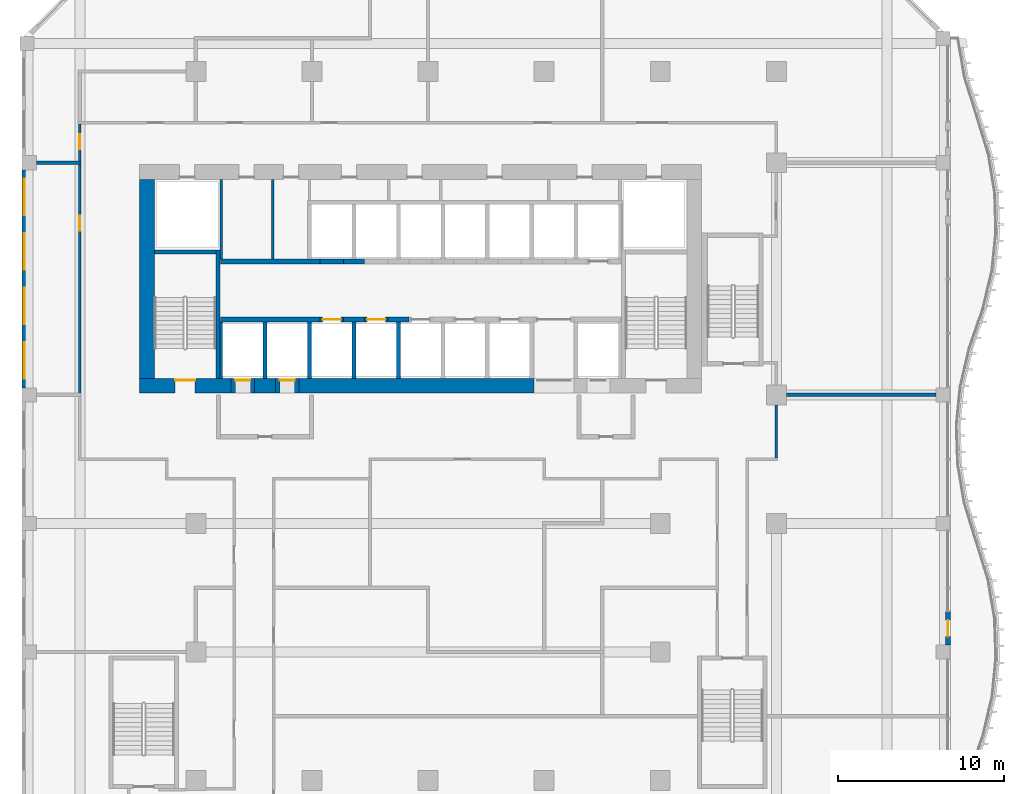
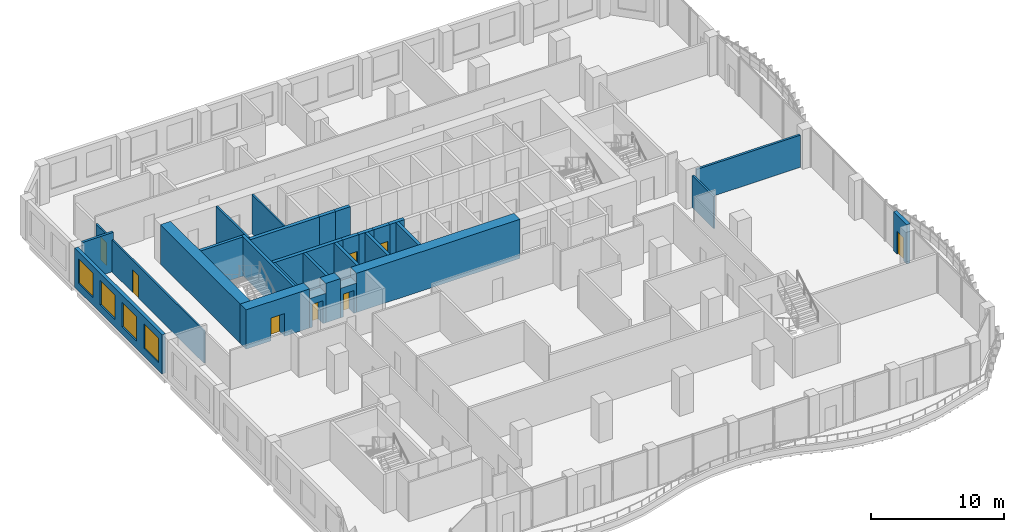
# One storey, part 12 of 19: 30 walls, 8 doors, 4 windows, 12 openings.
"""IFC4 building model written with IfcOpenShell, lengths in metres."""

from ifc_helpers import new_model, si_unit, direction, frame, frame_2d, origin, place, context, subcontext, project, spatial, rectangle, extrude, source, transform, mapped, material, layer, layer_set, type_object, element, fill, save


model = new_model("IFC4")

# Units and contexts
model_context = context("Model", 3, precision=1e-05, world=origin(), true_north=direction((0.0, 1.0)))
body_context = subcontext(model_context, "Body", "Model", "MODEL_VIEW")
ifc_project = project(units=[si_unit("LENGTHUNIT", "METRE"), si_unit("AREAUNIT", "SQUARE_METRE"), si_unit("VOLUMEUNIT", "CUBIC_METRE"), si_unit("PLANEANGLEUNIT", "RADIAN"), si_unit("MASSUNIT", "GRAM", prefix="KILO")], contexts=[model_context])

# Site, building, storey
site_placement = place(None, origin())
site = spatial("IfcSite", under=ifc_project, at=site_placement, CompositionType="ELEMENT")
building_placement = place(site_placement, origin())
building = spatial("IfcBuilding", under=site, at=building_placement, Name="Kilnfold Tower and Market Hall", CompositionType="ELEMENT")
storey_placement = place(building_placement, frame((0.0, 0.0, 124.60009765625)))
storey = spatial("IfcBuildingStorey", under=building, at=storey_placement, Name="L29", CompositionType="ELEMENT", Elevation=124.60009765625)

# Wall
ifc_material_1 = material(Name="Gypsum board on steel studs", Category="steel")
ifc_layer_1 = layer(ifc_material_1, 0.14990234375)
ifc_layer_set_1 = layer_set([ifc_layer_1], Name="Gypsum board on steel studs")
wall_type_1 = type_object("IfcWallType", Name="WALL CORRIDOR 150", PredefinedType="PARTITIONING", material=ifc_layer_set_1)
wall_1_placement = place(storey_placement, frame((22.5, 4.199951171875, 0.0), z_axis=(0.0, 0.0, 1.0), x_axis=(0.0, 1.0, 0.0)))
element("IfcWall", 1, at=wall_1_placement, inside=storey, type_object=wall_type_1, Name="Partition LY18.22", PredefinedType="PARTITIONING", context=body_context, shape_type="SweptSolid", body=[
    extrude(rectangle(XDim=3.199951171875, YDim=0.14990234375, at=frame_2d((1.60009765625, 0.0))), origin(), (0.0, 0.0, 1.0), 2.949951171875),
])

# Wall, opening, door
wall_2_placement = place(storey_placement, frame((-19.5, 22.090087890625, 0.0), z_axis=(0.0, 0.0, 1.0), x_axis=(0.0, 1.0, 0.0)))
wall_2 = element("IfcWall", 2, at=wall_2_placement, inside=storey, type_object=wall_type_1, Name="Partition LY18.34", PredefinedType="PARTITIONING", context=body_context, shape_type="SweptSolid", body=[
    extrude(rectangle(XDim=2.23486328125, YDim=0.14990234375, at=frame_2d((1.117431640625, 0.0))), origin(), (0.0, 0.0, 1.0), 2.949951171875),
])
opening_1_placement = place(wall_2_placement, frame((0.718994140625, 0.0, 0.0)))
opening_1 = element("IfcOpeningElement", 3, at=opening_1_placement, cuts=wall_2, Name="Opening D2", PredefinedType="OPENING", context=body_context, shape_type="SweptSolid", body=[
    extrude(rectangle(XDim=0.89990234375, YDim=2.10009765625, at=frame_2d((0.449951171875, 1.050048828125))), frame((0.0, 0.0849609375, 0.0), z_axis=(0.0, -1.0, 0.0), x_axis=(1.0, 0.0, 0.0)), (0.0, 0.0, 1.0), 0.169921875),
])
ifc_material_2 = material(Name="Timber veneer door leaf in steel frame", Category="steel")
door_type_1 = type_object("IfcDoorType", Name="DOOR ROOM 900 X2100", OperationType="NOTDEFINED", PredefinedType="DOOR", material=ifc_material_2)
door_1_placement = place(opening_1_placement, origin())
door_1 = element("IfcDoor", 4, at=door_1_placement, inside=storey, type_object=door_type_1, Name="Door D2", OperationType="SINGLE_SWING_LEFT", OverallHeight=2.10009765625, OverallWidth=0.89990234375, PredefinedType="DOOR", context=body_context, shape_type="SweptSolid", body=[
    extrude(rectangle(XDim=0.89990234375, YDim=2.10009765625, at=frame_2d((0.449951171875, 1.050048828125))), frame((0.0, 0.02490234375, 0.0), z_axis=(0.0, -1.0, 0.0), x_axis=(1.0, 0.0, 0.0)), (0.0, 0.0, 1.0), 0.050048828125),
])
fill(opening_1, door_1)

wall_3_placement = place(storey_placement, frame((-19.5, 8.090087890625, 0.0), z_axis=(0.0, 0.0, 1.0), x_axis=(0.0, 1.0, 0.0)))
wall_3 = element("IfcWall", 5, at=wall_3_placement, inside=storey, type_object=wall_type_1, Name="Partition LY18.35", PredefinedType="PARTITIONING", context=body_context, shape_type="SweptSolid", body=[
    extrude(rectangle(XDim=13.81982421875, YDim=0.14990234375, at=frame_2d((6.909912109375, 0.0))), origin(), (0.0, 0.0, 1.0), 2.949951171875),
])
opening_2_placement = place(wall_3_placement, frame((9.81494140625, 0.0, 0.0)))
opening_2 = element("IfcOpeningElement", 6, at=opening_2_placement, cuts=wall_3, Name="Opening D3", PredefinedType="OPENING", context=body_context, shape_type="SweptSolid", body=[
    extrude(rectangle(XDim=0.89990234375, YDim=2.10009765625, at=frame_2d((0.449951171875, 1.050048828125))), frame((0.0, 0.0849609375, 0.0), z_axis=(0.0, -1.0, 0.0), x_axis=(1.0, 0.0, 0.0)), (0.0, 0.0, 1.0), 0.169921875),
])
ifc_material_3 = material(Name="Timber veneer door leaf in steel frame", Category="steel")
door_type_2 = type_object("IfcDoorType", Name="DOOR WC 900 X2100", OperationType="NOTDEFINED", PredefinedType="DOOR", material=ifc_material_3)
door_2_placement = place(opening_2_placement, origin())
door_2 = element("IfcDoor", 7, at=door_2_placement, inside=storey, type_object=door_type_2, Name="Door D3", OperationType="SINGLE_SWING_RIGHT", OverallHeight=2.10009765625, OverallWidth=0.89990234375, PredefinedType="DOOR", context=body_context, shape_type="SweptSolid", body=[
    extrude(rectangle(XDim=0.89990234375, YDim=2.10009765625, at=frame_2d((0.449951171875, 1.050048828125))), frame((0.0, 0.02490234375, 0.0), z_axis=(0.0, -1.0, 0.0), x_axis=(1.0, 0.0, 0.0)), (0.0, 0.0, 1.0), 0.050048828125),
])
fill(opening_2, door_2)

# Walls
ifc_material_4 = material(Name="Gypsum board on steel studs", Category="steel")
ifc_layer_2 = layer(ifc_material_4, 0.199951171875)
ifc_layer_set_2 = layer_set([ifc_layer_2], Name="Gypsum board on steel studs")
wall_type_2 = type_object("IfcWallType", Name="WALL PARTY 200", PredefinedType="PARTITIONING", material=ifc_layer_set_2)
wall_4_placement = place(storey_placement, frame((23.10009765625, 8.0, 0.0), z_axis=(0.0, 0.0, 1.0), x_axis=(1.0, 0.0, 0.0)))
element("IfcWall", 8, at=wall_4_placement, inside=storey, type_object=wall_type_2, Name="Partition LY18.53", PredefinedType="PARTITIONING", context=body_context, shape_type="SweptSolid", body=[
    extrude(rectangle(XDim=9.02490234375, YDim=0.199951171875, at=frame_2d((4.512451171875, 0.0))), origin(), (0.0, 0.0, 1.0), 2.949951171875),
])
wall_5_placement = place(storey_placement, frame((-22.125, 22.0, 0.0), z_axis=(0.0, 0.0, 1.0), x_axis=(1.0, 0.0, 0.0)))
element("IfcWall", 9, at=wall_5_placement, inside=storey, type_object=wall_type_2, Name="Partition LY18.66", PredefinedType="PARTITIONING", context=body_context, shape_type="SweptSolid", body=[
    extrude(rectangle(XDim=2.698974609375, YDim=0.199951171875, at=frame_2d((1.349609375, 0.0))), origin(), (0.0, 0.0, 1.0), 3.599853515625),
])

# Wall, opening, door
ifc_material_5 = material(Name="Concrete C70", Category="concrete")
ifc_layer_3 = layer(ifc_material_5, 0.89990234375)
ifc_layer_set_3 = layer_set([ifc_layer_3], Name="Concrete C70")
wall_type_3 = type_object("IfcWallType", Name="CORE WALL 900 C70", PredefinedType="SHEAR", material=ifc_layer_set_3)
shared_shape_1 = source(origin(), body_context, "Body", "SweptSolid", [
    extrude(rectangle(XDim=5.52978515625, YDim=0.89990234375, at=frame_2d((2.764892578125, 0.0))), origin(), (0.0, 0.0, 1.0), 3.599853515625),
])
wall_6_placement = place(storey_placement, frame((-15.89990234375, 8.550048828125, 0.0), z_axis=(0.0, 0.0, 1.0), x_axis=(1.0, 0.0, 0.0)))
wall_6 = element("IfcWall", 10, at=wall_6_placement, inside=storey, type_object=wall_type_3, Name="Core outer wall south", PredefinedType="SHEAR", context=body_context, shape_type="MappedRepresentation", body=[
    mapped(shared_shape_1, transform((0.0, 0.0, 0.0))),
])
opening_3_placement = place(wall_6_placement, frame((2.14990234375, 0.0, 0.0)))
opening_3 = element("IfcOpeningElement", 11, at=opening_3_placement, cuts=wall_6, Name="Opening SD1", PredefinedType="OPENING", context=body_context, shape_type="SweptSolid", body=[
    extrude(rectangle(XDim=1.199951171875, YDim=2.10009765625, at=frame_2d((0.60009765625, 1.050048828125))), frame((0.0, 0.4599609375, 0.0), z_axis=(0.0, -1.0, 0.0), x_axis=(1.0, 0.0, 0.0)), (0.0, 0.0, 1.0), 0.919921875),
])
ifc_material_6 = material(Name="Steel door set with fire-resisting leaf", Category="steel")
door_type_3 = type_object("IfcDoorType", Name="STAIR FLOOR DOOR 1200X2100", OperationType="NOTDEFINED", PredefinedType="DOOR", material=ifc_material_6)
door_3_placement = place(opening_3_placement, origin())
door_3 = element("IfcDoor", 12, at=door_3_placement, inside=storey, type_object=door_type_3, Name="Exit stair ST1 door", OperationType="DOUBLE_DOOR_SINGLE_SWING", OverallHeight=2.10009765625, OverallWidth=1.199951171875, PredefinedType="DOOR", context=body_context, shape_type="SweptSolid", body=[
    extrude(rectangle(XDim=1.199951171875, YDim=2.10009765625, at=frame_2d((0.60009765625, 1.050048828125))), frame((0.0, 0.35498046875, 0.0), z_axis=(0.0, -1.0, 0.0), x_axis=(1.0, 0.0, 0.0)), (0.0, 0.0, 1.0), 0.050048828125),
])
fill(opening_3, door_3)

# Walls
shared_shape_2 = source(origin(), body_context, "Body", "SweptSolid", [
    extrude(rectangle(XDim=1.280029296875, YDim=0.89990234375, at=frame_2d((0.64013671875, 0.0))), origin(), (0.0, 0.0, 1.0), 3.599853515625),
])
wall_7_placement = place(storey_placement, frame((-8.969970703125, 8.550048828125, 0.0), z_axis=(0.0, 0.0, 1.0), x_axis=(1.0, 0.0, 0.0)))
element("IfcWall", 13, at=wall_7_placement, inside=storey, type_object=wall_type_3, Name="Core outer wall south", PredefinedType="SHEAR", context=body_context, shape_type="MappedRepresentation", body=[
    mapped(shared_shape_2, transform((0.0, 0.0, 0.0))),
])
shared_shape_3 = source(origin(), body_context, "Body", "SweptSolid", [
    extrude(rectangle(XDim=14.179931640625, YDim=0.89990234375, at=frame_2d((7.08984375, 0.0))), origin(), (0.0, 0.0, 1.0), 3.599853515625),
])
wall_8_placement = place(storey_placement, frame((-6.2900390625, 8.550048828125, 0.0), z_axis=(0.0, 0.0, 1.0), x_axis=(1.0, 0.0, 0.0)))
element("IfcWall", 14, at=wall_8_placement, inside=storey, type_object=wall_type_3, Name="Core outer wall south", PredefinedType="SHEAR", context=body_context, shape_type="MappedRepresentation", body=[
    mapped(shared_shape_3, transform((0.0, 0.0, 0.0))),
])
shared_shape_4 = source(origin(), body_context, "Body", "SweptSolid", [
    extrude(rectangle(XDim=12.0, YDim=0.89990234375, at=frame_2d((6.0, 0.0))), origin(), (0.0, 0.0, 1.0), 3.599853515625),
])
wall_9_placement = place(storey_placement, frame((-15.449951171875, 9.0, 0.0), z_axis=(0.0, 0.0, 1.0), x_axis=(0.0, 1.0, 0.0)))
element("IfcWall", 15, at=wall_9_placement, inside=storey, type_object=wall_type_3, Name="Core outer wall west", PredefinedType="SHEAR", context=body_context, shape_type="MappedRepresentation", body=[
    mapped(shared_shape_4, transform((0.0, 0.0, 0.0))),
])
ifc_material_7 = material(Name="Concrete C70", Category="concrete")
ifc_layer_4 = layer(ifc_material_7, 0.25)
ifc_layer_set_4 = layer_set([ifc_layer_4], Name="Concrete C70")
wall_type_4 = type_object("IfcWallType", Name="CORE WALL 250 C70", PredefinedType="SHEAR", material=ifc_layer_set_4)
shared_shape_5 = source(origin(), body_context, "Body", "SweptSolid", [
    extrude(rectangle(XDim=7.75, YDim=0.25, at=frame_2d((3.875, 0.0))), origin(), (0.0, 0.0, 1.0), 3.599853515625),
])
wall_10_placement = place(storey_placement, frame((-11.175048828125, 9.0, 0.0), z_axis=(0.0, 0.0, 1.0), x_axis=(0.0, 1.0, 0.0)))
element("IfcWall", 16, at=wall_10_placement, inside=storey, type_object=wall_type_4, Name="Stair enclosure ST1", PredefinedType="SHEAR", context=body_context, shape_type="MappedRepresentation", body=[
    mapped(shared_shape_5, transform((0.0, 0.0, 0.0))),
])
shared_shape_6 = source(origin(), body_context, "Body", "SweptSolid", [
    extrude(rectangle(XDim=3.699951171875, YDim=0.25, at=frame_2d((1.85009765625, 0.0))), origin(), (0.0, 0.0, 1.0), 3.599853515625),
])
wall_11_placement = place(storey_placement, frame((-15.0, 16.625, 0.0), z_axis=(0.0, 0.0, 1.0), x_axis=(1.0, 0.0, 0.0)))
element("IfcWall", 17, at=wall_11_placement, inside=storey, type_object=wall_type_4, Name="Stair enclosure ST1", PredefinedType="SHEAR", context=body_context, shape_type="MappedRepresentation", body=[
    mapped(shared_shape_6, transform((0.0, 0.0, 0.0))),
])
ifc_material_8 = material(Name="Concrete C70", Category="concrete")
ifc_layer_5 = layer(ifc_material_8, 0.300048828125)
ifc_layer_set_5 = layer_set([ifc_layer_5], Name="Concrete C70")
wall_type_5 = type_object("IfcWallType", Name="CORE WALL 300 C70", PredefinedType="SHEAR", material=ifc_layer_set_5)
shared_shape_7 = source(origin(), body_context, "Body", "SweptSolid", [
    extrude(rectangle(XDim=6.0, YDim=0.300048828125, at=frame_2d((3.0, 0.0))), origin(), (0.0, 0.0, 1.0), 3.599853515625),
])
for number, where, z_axis, x_axis, name in (
    (18, (-11.010009765625, 12.550048828125, 0.0), (0.0, 0.0, 1.0), (1.0, 0.0, 0.0), "Core spine wall"),
    (19, (-11.010009765625, 16.050048828125, 0.0), (0.0, 0.0, 1.0), (1.0, 0.0, 0.0), "Core spine wall"),
):
    element("IfcWall", number, at=place(storey_placement, frame(where, z_axis=z_axis, x_axis=x_axis)), inside=storey, type_object=wall_type_5, Name=name, PredefinedType="SHEAR", context=body_context, shape_type="MappedRepresentation", body=[
        mapped(shared_shape_7, transform((0.0, 0.0, 0.0))),
    ])
shared_shape_8 = source(origin(), body_context, "Body", "SweptSolid", [
    extrude(rectangle(XDim=1.280029296875, YDim=0.300048828125, at=frame_2d((0.64013671875, 0.0))), origin(), (0.0, 0.0, 1.0), 3.599853515625),
])
for number, where, z_axis, x_axis, name in (
    (20, (-3.610107421875, 12.550048828125, 0.0), (0.0, 0.0, 1.0), (1.0, 0.0, 0.0), "Core spine wall"),
    (21, (-0.929931640625, 12.550048828125, 0.0), (0.0, 0.0, 1.0), (1.0, 0.0, 0.0), "Core spine wall"),
    (22, (-3.610107421875, 16.050048828125, 0.0), (0.0, 0.0, 1.0), (1.0, 0.0, 0.0), "Core spine wall"),
):
    element("IfcWall", number, at=place(storey_placement, frame(where, z_axis=z_axis, x_axis=x_axis)), inside=storey, type_object=wall_type_5, Name=name, PredefinedType="SHEAR", context=body_context, shape_type="MappedRepresentation", body=[
        mapped(shared_shape_8, transform((0.0, 0.0, 0.0))),
    ])

# Wall, opening, door
ifc_material_9 = material(Name="Precast concrete C50/60", Category="concrete")
ifc_layer_6 = layer(ifc_material_9, 0.300048828125)
ifc_layer_set_6 = layer_set([ifc_layer_6], Name="Precast concrete C50/60")
wall_type_6 = type_object("IfcWallType", Name="PRECAST WALL 300", PredefinedType="SOLIDWALL", material=ifc_layer_set_6)
shared_shape_9 = source(origin(), body_context, "Body", "SweptSolid", [
    extrude(rectangle(XDim=2.0, YDim=0.300048828125, at=frame_2d((1.0, 0.0))), origin(), (0.0, 0.0, 1.0), 3.599853515625),
])
wall_12_placement = place(storey_placement, frame((32.85009765625, -7.074951171875, 0.0), z_axis=(0.0, 0.0, 1.0), x_axis=(0.0, 1.0, 0.0)))
wall_12 = element("IfcWall", 23, at=wall_12_placement, inside=storey, type_object=wall_type_6, Name="External wall L29 E", PredefinedType="SOLIDWALL", context=body_context, shape_type="MappedRepresentation", body=[
    mapped(shared_shape_9, transform((0.0, 0.0, 0.0))),
])
opening_4_placement = place(wall_12_placement, frame((0.5, 0.0, 0.0)))
opening_4 = element("IfcOpeningElement", 24, at=opening_4_placement, cuts=wall_12, Name="Opening BD1", PredefinedType="OPENING", context=body_context, shape_type="SweptSolid", body=[
    extrude(rectangle(XDim=1.0, YDim=2.10009765625, at=frame_2d((0.5, 1.050048828125))), frame((0.0, 0.16015625, 0.0), z_axis=(0.0, -1.0, 0.0), x_axis=(1.0, 0.0, 0.0)), (0.0, 0.0, 1.0), 0.320068359375),
])
ifc_material_10 = material(Name="Aluminium frame and double glazing", Category="aluminium")
door_type_4 = type_object("IfcDoorType", Name="BALCONY DOOR 1000X2100", OperationType="NOTDEFINED", PredefinedType="DOOR", material=ifc_material_10)
door_4_placement = place(opening_4_placement, origin())
door_4 = element("IfcDoor", 25, at=door_4_placement, inside=storey, type_object=door_type_4, Name="Balcony door BD1 L29 E-1", OperationType="SINGLE_SWING_LEFT", OverallHeight=2.10009765625, OverallWidth=1.0, PredefinedType="DOOR", context=body_context, shape_type="SweptSolid", body=[
    extrude(rectangle(XDim=1.0, YDim=2.10009765625, at=frame_2d((0.5, 1.050048828125))), frame((0.0, 0.02490234375, 0.0), z_axis=(0.0, -1.0, 0.0), x_axis=(1.0, 0.0, 0.0)), (0.0, 0.0, 1.0), 0.050048828125),
])
fill(opening_4, door_4)

# Wall, openings, windows
shared_shape_10 = source(origin(), body_context, "Body", "SweptSolid", [
    extrude(rectangle(XDim=13.14990234375, YDim=0.300048828125, at=frame_2d((6.574951171875, 0.0))), origin(), (0.0, 0.0, 1.0), 3.599853515625),
])
wall_13_placement = place(storey_placement, frame((-22.85009765625, 21.574951171875, 0.0), z_axis=(0.0, 0.0, 1.0), x_axis=(0.0, -1.0, 0.0)))
wall_13 = element("IfcWall", 26, at=wall_13_placement, inside=storey, type_object=wall_type_6, Name="External wall L29 W", PredefinedType="SOLIDWALL", context=body_context, shape_type="MappedRepresentation", body=[
    mapped(shared_shape_10, transform((0.0, 0.0, 0.0))),
])
opening_5_placement = place(wall_13_placement, frame((0.543701171875, 0.0, 0.699951171875)))
opening_5 = element("IfcOpeningElement", 27, at=opening_5_placement, cuts=wall_13, Name="Opening W1", PredefinedType="OPENING", context=body_context, shape_type="SweptSolid", body=[
    extrude(rectangle(XDim=2.199951171875, YDim=2.25, at=frame_2d((1.10009765625, 1.125))), frame((0.0, 0.16015625, 0.0), z_axis=(0.0, -1.0, 0.0), x_axis=(1.0, 0.0, 0.0)), (0.0, 0.0, 1.0), 0.320068359375),
])
opening_6_placement = place(wall_13_placement, frame((3.831298828125, 0.0, 0.699951171875)))
opening_6 = element("IfcOpeningElement", 28, at=opening_6_placement, cuts=wall_13, Name="Opening W1", PredefinedType="OPENING", context=body_context, shape_type="SweptSolid", body=[
    extrude(rectangle(XDim=2.199951171875, YDim=2.25, at=frame_2d((1.10009765625, 1.125))), frame((0.0, 0.16015625, 0.0), z_axis=(0.0, -1.0, 0.0), x_axis=(1.0, 0.0, 0.0)), (0.0, 0.0, 1.0), 0.320068359375),
])
opening_7_placement = place(wall_13_placement, frame((7.118896484375, 0.0, 0.699951171875)))
opening_7 = element("IfcOpeningElement", 29, at=opening_7_placement, cuts=wall_13, Name="Opening W1", PredefinedType="OPENING", context=body_context, shape_type="SweptSolid", body=[
    extrude(rectangle(XDim=2.199951171875, YDim=2.25, at=frame_2d((1.10009765625, 1.125))), frame((0.0, 0.16015625, 0.0), z_axis=(0.0, -1.0, 0.0), x_axis=(1.0, 0.0, 0.0)), (0.0, 0.0, 1.0), 0.320068359375),
])
opening_8_placement = place(wall_13_placement, frame((10.40625, 0.0, 0.699951171875)))
opening_8 = element("IfcOpeningElement", 30, at=opening_8_placement, cuts=wall_13, Name="Opening W1", PredefinedType="OPENING", context=body_context, shape_type="SweptSolid", body=[
    extrude(rectangle(XDim=2.199951171875, YDim=2.25, at=frame_2d((1.10009765625, 1.125))), frame((0.0, 0.16015625, 0.0), z_axis=(0.0, -1.0, 0.0), x_axis=(1.0, 0.0, 0.0)), (0.0, 0.0, 1.0), 0.320068359375),
])
ifc_material_11 = material(Name="Aluminium frame and double glazing", Category="aluminium")
window_type = type_object("IfcWindowType", Name="WINDOW W1 2200X2250", PartitioningType="SINGLE_PANEL", PredefinedType="WINDOW", material=ifc_material_11)
window_1_placement = place(opening_5_placement, origin())
window_1 = element("IfcWindow", 31, at=window_1_placement, inside=storey, type_object=window_type, Name="Window W1 L29 W-1", OverallHeight=2.25, OverallWidth=2.199951171875, PartitioningType="SINGLE_PANEL", PredefinedType="WINDOW", context=body_context, shape_type="SweptSolid", body=[
    extrude(rectangle(XDim=2.199951171875, YDim=2.25, at=frame_2d((1.10009765625, 1.125))), frame((0.0, 0.030029296875, 0.0), z_axis=(0.0, -1.0, 0.0), x_axis=(1.0, 0.0, 0.0)), (0.0, 0.0, 1.0), 0.06005859375),
])
fill(opening_5, window_1)
window_2_placement = place(opening_6_placement, origin())
window_2 = element("IfcWindow", 32, at=window_2_placement, inside=storey, type_object=window_type, Name="Window W1 L29 W-2", OverallHeight=2.25, OverallWidth=2.199951171875, PartitioningType="SINGLE_PANEL", PredefinedType="WINDOW", context=body_context, shape_type="SweptSolid", body=[
    extrude(rectangle(XDim=2.199951171875, YDim=2.25, at=frame_2d((1.10009765625, 1.125))), frame((0.0, 0.030029296875, 0.0), z_axis=(0.0, -1.0, 0.0), x_axis=(1.0, 0.0, 0.0)), (0.0, 0.0, 1.0), 0.06005859375),
])
fill(opening_6, window_2)
window_3_placement = place(opening_7_placement, origin())
window_3 = element("IfcWindow", 33, at=window_3_placement, inside=storey, type_object=window_type, Name="Window W1 L29 W-3", OverallHeight=2.25, OverallWidth=2.199951171875, PartitioningType="SINGLE_PANEL", PredefinedType="WINDOW", context=body_context, shape_type="SweptSolid", body=[
    extrude(rectangle(XDim=2.199951171875, YDim=2.25, at=frame_2d((1.10009765625, 1.125))), frame((0.0, 0.030029296875, 0.0), z_axis=(0.0, -1.0, 0.0), x_axis=(1.0, 0.0, 0.0)), (0.0, 0.0, 1.0), 0.06005859375),
])
fill(opening_7, window_3)
window_4_placement = place(opening_8_placement, origin())
window_4 = element("IfcWindow", 34, at=window_4_placement, inside=storey, type_object=window_type, Name="Window W1 L29 W-4", OverallHeight=2.25, OverallWidth=2.199951171875, PartitioningType="SINGLE_PANEL", PredefinedType="WINDOW", context=body_context, shape_type="SweptSolid", body=[
    extrude(rectangle(XDim=2.199951171875, YDim=2.25, at=frame_2d((1.10009765625, 1.125))), frame((0.0, 0.030029296875, 0.0), z_axis=(0.0, -1.0, 0.0), x_axis=(1.0, 0.0, 0.0)), (0.0, 0.0, 1.0), 0.06005859375),
])
fill(opening_8, window_4)

# Wall, opening, door
ifc_material_12 = material(Name="Gypsum shaft wall system")
ifc_layer_7 = layer(ifc_material_12, 0.89990234375)
ifc_layer_set_7 = layer_set([ifc_layer_7], Name="Gypsum shaft wall system")
wall_type_7 = type_object("IfcWallType", Name="LOBBY WALL 900", PredefinedType="PARTITIONING", material=ifc_layer_set_7)
shared_shape_11 = source(origin(), body_context, "Body", "SweptSolid", [
    extrude(rectangle(XDim=1.400146484375, YDim=0.89990234375, at=frame_2d((0.7001953125, 0.0))), origin(), (0.0, 0.0, 1.0), 2.699951171875),
])
wall_14_placement = place(storey_placement, frame((-10.3701171875, 8.550048828125, 0.0), z_axis=(0.0, 0.0, 1.0), x_axis=(1.0, 0.0, 0.0)))
wall_14 = element("IfcWall", 35, at=wall_14_placement, inside=storey, type_object=wall_type_7, Name="Core wall infill", PredefinedType="PARTITIONING", context=body_context, shape_type="MappedRepresentation", body=[
    mapped(shared_shape_11, transform((0.0, 0.0, 0.0))),
])
opening_9_placement = place(wall_14_placement, frame((0.25, 0.0, 0.0)))
opening_9 = element("IfcOpeningElement", 36, at=opening_9_placement, cuts=wall_14, Name="Opening LD1", PredefinedType="OPENING", context=body_context, shape_type="SweptSolid", body=[
    extrude(rectangle(XDim=0.89990234375, YDim=2.10009765625, at=frame_2d((0.449951171875, 1.050048828125))), frame((0.0, 0.4599609375, 0.0), z_axis=(0.0, -1.0, 0.0), x_axis=(1.0, 0.0, 0.0)), (0.0, 0.0, 1.0), 0.919921875),
])
ifc_material_13 = material(Name="Steel door set with fire-resisting leaf", Category="steel")
door_type_5 = type_object("IfcDoorType", Name="FIREFIGHTING LANDING DOOR 900X2100", OperationType="NOTDEFINED", PredefinedType="DOOR", material=ifc_material_13)
door_5_placement = place(opening_9_placement, origin())
door_5 = element("IfcDoor", 37, at=door_5_placement, inside=storey, type_object=door_type_5, Name="Landing door FF1", OperationType="SLIDING_TO_LEFT", OverallHeight=2.10009765625, OverallWidth=0.89990234375, PredefinedType="DOOR", context=body_context, shape_type="SweptSolid", body=[
    extrude(rectangle(XDim=0.89990234375, YDim=2.10009765625, at=frame_2d((0.449951171875, 1.050048828125))), frame((0.0, 0.35498046875, 0.0), z_axis=(0.0, -1.0, 0.0), x_axis=(1.0, 0.0, 0.0)), (0.0, 0.0, 1.0), 0.050048828125),
])
fill(opening_9, door_5)

shared_shape_12 = source(origin(), body_context, "Body", "SweptSolid", [
    extrude(rectangle(XDim=1.39990234375, YDim=0.89990234375, at=frame_2d((0.699951171875, 0.0))), origin(), (0.0, 0.0, 1.0), 2.699951171875),
])
wall_15_placement = place(storey_placement, frame((-7.68994140625, 8.550048828125, 0.0), z_axis=(0.0, 0.0, 1.0), x_axis=(1.0, 0.0, 0.0)))
wall_15 = element("IfcWall", 38, at=wall_15_placement, inside=storey, type_object=wall_type_7, Name="Core wall infill", PredefinedType="PARTITIONING", context=body_context, shape_type="MappedRepresentation", body=[
    mapped(shared_shape_12, transform((0.0, 0.0, 0.0))),
])
opening_10_placement = place(wall_15_placement, frame((0.25, 0.0, 0.0)))
opening_10 = element("IfcOpeningElement", 39, at=opening_10_placement, cuts=wall_15, Name="Opening LD1", PredefinedType="OPENING", context=body_context, shape_type="SweptSolid", body=[
    extrude(rectangle(XDim=0.89990234375, YDim=2.10009765625, at=frame_2d((0.449951171875, 1.050048828125))), frame((0.0, 0.4599609375, 0.0), z_axis=(0.0, -1.0, 0.0), x_axis=(1.0, 0.0, 0.0)), (0.0, 0.0, 1.0), 0.919921875),
])
door_6_placement = place(opening_10_placement, origin())
door_6 = element("IfcDoor", 40, at=door_6_placement, inside=storey, type_object=door_type_5, Name="Landing door FF2", OperationType="SLIDING_TO_RIGHT", OverallHeight=2.10009765625, OverallWidth=0.89990234375, PredefinedType="DOOR", context=body_context, shape_type="SweptSolid", body=[
    extrude(rectangle(XDim=0.89990234375, YDim=2.10009765625, at=frame_2d((0.449951171875, 1.050048828125))), frame((0.0, 0.35498046875, 0.0), z_axis=(0.0, -1.0, 0.0), x_axis=(1.0, 0.0, 0.0)), (0.0, 0.0, 1.0), 0.050048828125),
])
fill(opening_10, door_6)

ifc_material_14 = material(Name="Gypsum shaft wall system")
ifc_layer_8 = layer(ifc_material_14, 0.300048828125)
ifc_layer_set_8 = layer_set([ifc_layer_8], Name="Gypsum shaft wall system")
wall_type_8 = type_object("IfcWallType", Name="SHAFT WALL 300", PredefinedType="PARTITIONING", material=ifc_layer_set_8)
shared_shape_13 = source(origin(), body_context, "Body", "SweptSolid", [
    extrude(rectangle(XDim=1.39990234375, YDim=0.300048828125, at=frame_2d((0.699951171875, 0.0))), origin(), (0.0, 0.0, 1.0), 3.599853515625),
])
wall_16_placement = place(storey_placement, frame((-5.010009765625, 12.550048828125, 0.0), z_axis=(0.0, 0.0, 1.0), x_axis=(1.0, 0.0, 0.0)))
wall_16 = element("IfcWall", 41, at=wall_16_placement, inside=storey, type_object=wall_type_8, Name="Lift shaft front wall", PredefinedType="PARTITIONING", context=body_context, shape_type="MappedRepresentation", body=[
    mapped(shared_shape_13, transform((0.0, 0.0, 0.0))),
])
opening_11_placement = place(wall_16_placement, frame((0.14990234375, 0.0, 0.0)))
opening_11 = element("IfcOpeningElement", 42, at=opening_11_placement, cuts=wall_16, Name="Opening LD2", PredefinedType="OPENING", context=body_context, shape_type="SweptSolid", body=[
    extrude(rectangle(XDim=1.10009765625, YDim=2.10009765625, at=frame_2d((0.550048828125, 1.050048828125))), frame((0.0, 0.16015625, 0.0), z_axis=(0.0, -1.0, 0.0), x_axis=(1.0, 0.0, 0.0)), (0.0, 0.0, 1.0), 0.320068359375),
])
ifc_material_15 = material(Name="Steel door set with fire-resisting leaf", Category="steel")
door_type_6 = type_object("IfcDoorType", Name="LANDING DOOR 1100X2100", OperationType="NOTDEFINED", PredefinedType="DOOR", material=ifc_material_15)
door_7_placement = place(opening_11_placement, origin())
door_7 = element("IfcDoor", 43, at=door_7_placement, inside=storey, type_object=door_type_6, Name="Landing door LR1", OperationType="DOUBLE_DOOR_SLIDING", OverallHeight=2.10009765625, OverallWidth=1.10009765625, PredefinedType="DOOR", context=body_context, shape_type="SweptSolid", body=[
    extrude(rectangle(XDim=1.10009765625, YDim=2.10009765625, at=frame_2d((0.550048828125, 1.050048828125))), frame((0.0, 0.02490234375, 0.0), z_axis=(0.0, -1.0, 0.0), x_axis=(1.0, 0.0, 0.0)), (0.0, 0.0, 1.0), 0.050048828125),
])
fill(opening_11, door_7)

# Wall
wall_17_placement = place(storey_placement, frame((-5.010009765625, 16.050048828125, 0.0), z_axis=(0.0, 0.0, 1.0), x_axis=(1.0, 0.0, 0.0)))
element("IfcWall", 44, at=wall_17_placement, inside=storey, type_object=wall_type_8, Name="Lift shaft front wall", PredefinedType="PARTITIONING", context=body_context, shape_type="MappedRepresentation", body=[
    mapped(shared_shape_13, transform((0.0, 0.0, 0.0))),
])

# Wall, opening, door
shared_shape_14 = source(origin(), body_context, "Body", "SweptSolid", [
    extrude(rectangle(XDim=1.400146484375, YDim=0.300048828125, at=frame_2d((0.7001953125, 0.0))), origin(), (0.0, 0.0, 1.0), 3.599853515625),
])
wall_18_placement = place(storey_placement, frame((-2.330078125, 12.550048828125, 0.0), z_axis=(0.0, 0.0, 1.0), x_axis=(1.0, 0.0, 0.0)))
wall_18 = element("IfcWall", 45, at=wall_18_placement, inside=storey, type_object=wall_type_8, Name="Lift shaft front wall", PredefinedType="PARTITIONING", context=body_context, shape_type="MappedRepresentation", body=[
    mapped(shared_shape_14, transform((0.0, 0.0, 0.0))),
])
opening_12_placement = place(wall_18_placement, frame((0.14990234375, 0.0, 0.0)))
opening_12 = element("IfcOpeningElement", 46, at=opening_12_placement, cuts=wall_18, Name="Opening LD2", PredefinedType="OPENING", context=body_context, shape_type="SweptSolid", body=[
    extrude(rectangle(XDim=1.10009765625, YDim=2.10009765625, at=frame_2d((0.550048828125, 1.050048828125))), frame((0.0, 0.16015625, 0.0), z_axis=(0.0, -1.0, 0.0), x_axis=(1.0, 0.0, 0.0)), (0.0, 0.0, 1.0), 0.320068359375),
])
door_8_placement = place(opening_12_placement, origin())
door_8 = element("IfcDoor", 47, at=door_8_placement, inside=storey, type_object=door_type_6, Name="Landing door LR2", OperationType="DOUBLE_DOOR_SLIDING", OverallHeight=2.10009765625, OverallWidth=1.10009765625, PredefinedType="DOOR", context=body_context, shape_type="SweptSolid", body=[
    extrude(rectangle(XDim=1.10009765625, YDim=2.10009765625, at=frame_2d((0.550048828125, 1.050048828125))), frame((0.0, 0.02490234375, 0.0), z_axis=(0.0, -1.0, 0.0), x_axis=(1.0, 0.0, 0.0)), (0.0, 0.0, 1.0), 0.050048828125),
])
fill(opening_12, door_8)

# Walls
ifc_material_16 = material(Name="Gypsum shaft wall system")
ifc_layer_9 = layer(ifc_material_16, 0.1650390625)
ifc_layer_set_9 = layer_set([ifc_layer_9], Name="Gypsum shaft wall system")
wall_type_9 = type_object("IfcWallType", Name="SHAFT WALL 165", PredefinedType="PARTITIONING", material=ifc_layer_set_9)
shared_shape_15 = source(origin(), body_context, "Body", "SweptSolid", [
    extrude(rectangle(XDim=4.800048828125, YDim=0.1650390625, at=frame_2d((2.39990234375, 0.0))), origin(), (0.0, 0.0, 1.0), 3.599853515625),
])
wall_19_placement = place(storey_placement, frame((-10.967529296875, 16.199951171875, 0.0), z_axis=(0.0, 0.0, 1.0), x_axis=(0.0, 1.0, 0.0)))
element("IfcWall", 48, at=wall_19_placement, inside=storey, type_object=wall_type_9, Name="Lift shaft wall", PredefinedType="PARTITIONING", context=body_context, shape_type="MappedRepresentation", body=[
    mapped(shared_shape_15, transform((0.0, 0.0, 0.0))),
])
ifc_material_17 = material(Name="Gypsum shaft wall system")
ifc_layer_10 = layer(ifc_material_17, 0.25)
ifc_layer_set_10 = layer_set([ifc_layer_10], Name="Gypsum shaft wall system")
wall_type_10 = type_object("IfcWallType", Name="SHAFT WALL 250", PredefinedType="PARTITIONING", material=ifc_layer_set_10)
shared_shape_16 = source(origin(), body_context, "Body", "SweptSolid", [
    extrude(rectangle(XDim=3.39990234375, YDim=0.25, at=frame_2d((1.699951171875, 0.0))), origin(), (0.0, 0.0, 1.0), 3.599853515625),
])
for number, where, z_axis, x_axis, name in (
    (49, (-0.2900390625, 9.0, 0.0), (0.0, 0.0, 1.0), (0.0, 1.0, 0.0), "Lift shaft wall"),
    (50, (-2.969970703125, 9.0, 0.0), (0.0, 0.0, 1.0), (0.0, 1.0, 0.0), "Lift shaft wall"),
    (51, (-5.64990234375, 9.0, 0.0), (0.0, 0.0, 1.0), (0.0, 1.0, 0.0), "Lift shaft wall"),
    (52, (-8.330078125, 9.0, 0.0), (0.0, 0.0, 1.0), (0.0, 1.0, 0.0), "Lift shaft wall"),
):
    element("IfcWall", number, at=place(storey_placement, frame(where, z_axis=z_axis, x_axis=x_axis)), inside=storey, type_object=wall_type_10, Name=name, PredefinedType="PARTITIONING", context=body_context, shape_type="MappedRepresentation", body=[
        mapped(shared_shape_16, transform((0.0, 0.0, 0.0))),
    ])
shared_shape_17 = source(origin(), body_context, "Body", "SweptSolid", [
    extrude(rectangle(XDim=3.39990234375, YDim=0.1650390625, at=frame_2d((1.699951171875, 0.0))), origin(), (0.0, 0.0, 1.0), 3.599853515625),
])
wall_20_placement = place(storey_placement, frame((-10.967529296875, 9.0, 0.0), z_axis=(0.0, 0.0, 1.0), x_axis=(0.0, 1.0, 0.0)))
element("IfcWall", 53, at=wall_20_placement, inside=storey, type_object=wall_type_9, Name="Lift shaft wall", PredefinedType="PARTITIONING", context=body_context, shape_type="MappedRepresentation", body=[
    mapped(shared_shape_17, transform((0.0, 0.0, 0.0))),
])
ifc_material_18 = material(Name="Gypsum shaft wall system")
ifc_layer_11 = layer(ifc_material_18, 0.14990234375)
ifc_layer_set_11 = layer_set([ifc_layer_11], Name="Gypsum shaft wall system")
wall_type_11 = type_object("IfcWallType", Name="ROOM WALL 150", PredefinedType="PARTITIONING", material=ifc_layer_set_11)
shared_shape_18 = source(origin(), body_context, "Body", "SweptSolid", [
    extrude(rectangle(XDim=4.800048828125, YDim=0.14990234375, at=frame_2d((2.39990234375, 0.0))), origin(), (0.0, 0.0, 1.0), 3.599853515625),
])
wall_21_placement = place(storey_placement, frame((-7.87451171875, 16.199951171875, 0.0), z_axis=(0.0, 0.0, 1.0), x_axis=(0.0, 1.0, 0.0)))
element("IfcWall", 54, at=wall_21_placement, inside=storey, type_object=wall_type_11, Name="Core room wall", PredefinedType="PARTITIONING", context=body_context, shape_type="MappedRepresentation", body=[
    mapped(shared_shape_18, transform((0.0, 0.0, 0.0))),
])

save(model, "model.ifc")
